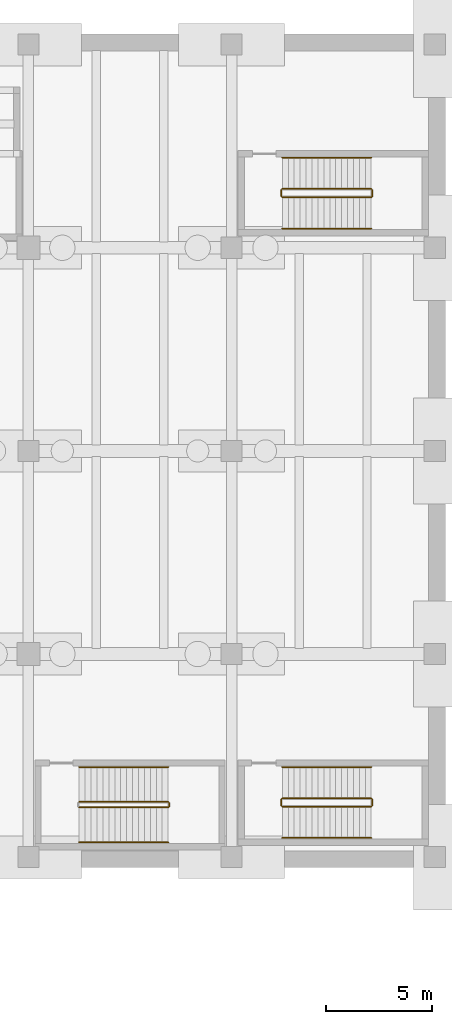
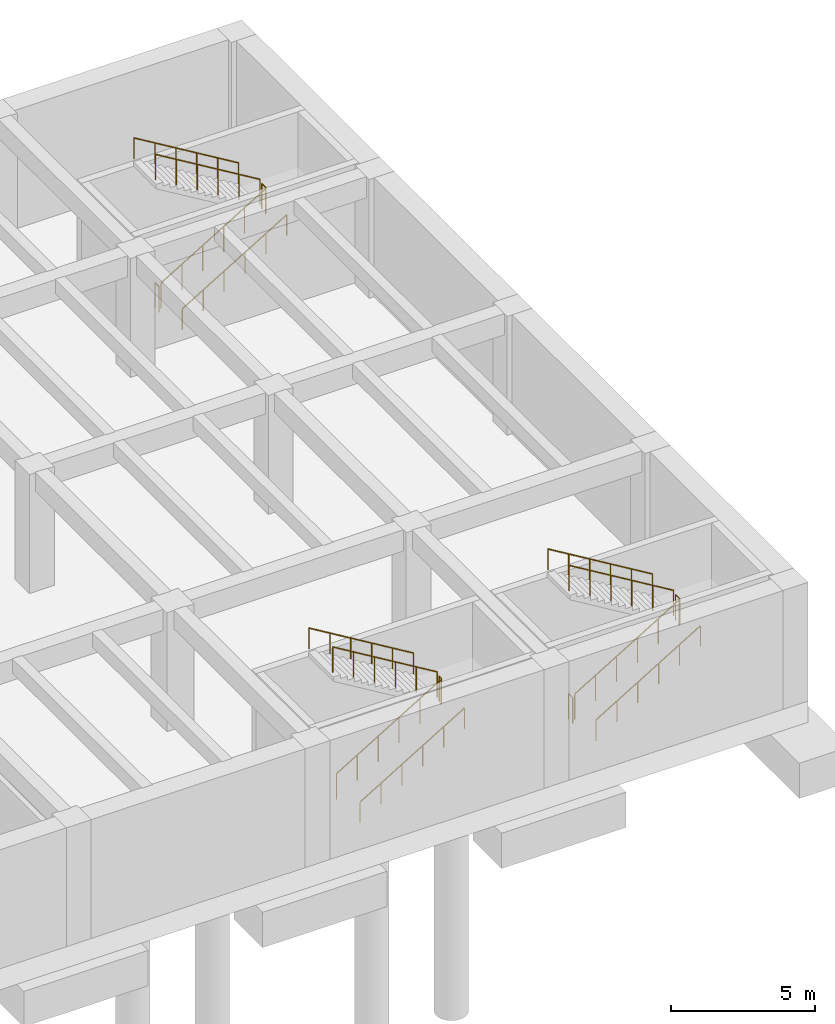
# One storey, part 23 of 24: 17 railings.
"""IFC4 building model written with IfcOpenShell, lengths in metres."""

from ifc_helpers import new_model, si_unit, direction, frame, origin, origin_2d, place, context, subcontext, project, spatial, circle, extrude, material, type_object, element, save


model = new_model("IFC4")

# Units and contexts
model_context = context("Model", 3, precision=1e-05, world=origin(), true_north=direction((0.0, 1.0)))
body_context = subcontext(model_context, "Body", "Model", "MODEL_VIEW")
ifc_project = project(units=[si_unit("LENGTHUNIT", "METRE"), si_unit("AREAUNIT", "SQUARE_METRE"), si_unit("VOLUMEUNIT", "CUBIC_METRE"), si_unit("PLANEANGLEUNIT", "RADIAN"), si_unit("MASSUNIT", "GRAM", prefix="KILO")], contexts=[model_context])

# Site, building, storey
site_placement = place(None, origin())
site = spatial("IfcSite", under=ifc_project, at=site_placement, CompositionType="ELEMENT")
building_placement = place(site_placement, origin())
building = spatial("IfcBuilding", under=site, at=building_placement, Name="Coralgate Yard Interchange", CompositionType="ELEMENT")
storey_placement = place(building_placement, frame((0.0, 0.0, -10.800048828125)))
storey = spatial("IfcBuildingStorey", under=building, at=storey_placement, Name="B2", CompositionType="ELEMENT", Elevation=-10.800048828125)

# Railings
ifc_material_1 = material(Name="Grade 316 marine stainless steel and toughened glass balustrade", Category="steel")
railing_type_1 = type_object("IfcRailingType", Name="RLG-GD1100", PredefinedType="BALUSTRADE", material=ifc_material_1)
railing_1_placement = place(storey_placement, frame((146.39990234375, 40.7900390625, 0.168701171875)))
element("IfcRailing", 1, at=railing_1_placement, inside=storey, type_object=railing_type_1, Name="B2 ST-10 stair guard 1", PredefinedType="BALUSTRADE", context=body_context, shape_type="SweptSolid", body=[
    extrude(circle(Radius=0.02392578125, at=origin_2d()), frame((0.0, 0.0, 1.076171875), z_axis=(0.856489757249, 0.0, 0.516164020179), x_axis=(0.0, 1.0, 0.0)), (0.0, 0.0, 1.0), 4.904052734375),
    extrude(circle(Radius=0.02099609375, at=origin_2d()), origin(), (0.0, 0.0, 1.0), 1.051513671875),
    extrude(circle(Radius=0.02099609375, at=origin_2d()), frame((0.840087890625, 0.0, 0.50634765625)), (0.0, 0.0, 1.0), 1.051513671875),
    extrude(circle(Radius=0.02099609375, at=origin_2d()), frame((1.68017578125, 0.0, 1.012451171875)), (0.0, 0.0, 1.0), 1.051513671875),
    extrude(circle(Radius=0.02099609375, at=origin_2d()), frame((2.52001953125, 0.0, 1.518798828125)), (0.0, 0.0, 1.0), 1.051513671875),
    extrude(circle(Radius=0.02099609375, at=origin_2d()), frame((3.360107421875, 0.0, 2.02490234375)), (0.0, 0.0, 1.0), 1.051513671875),
    extrude(circle(Radius=0.02099609375, at=origin_2d()), frame((4.2001953125, 0.0, 2.53125)), (0.0, 0.0, 1.0), 1.051513671875),
])
railing_2_placement = place(storey_placement, frame((150.64990234375, 40.840087890625, 2.699951171875)))
element("IfcRailing", 2, at=railing_2_placement, inside=storey, type_object=railing_type_1, Name="B2 ST-10 stair guard 2", PredefinedType="BALUSTRADE", context=body_context, shape_type="SweptSolid", body=[
    extrude(circle(Radius=0.02392578125, at=origin_2d()), frame((0.0, 0.0, 1.076171875), z_axis=(0.0, 1.0, 0.0), x_axis=(-1.0, 0.0, 0.0)), (0.0, 0.0, 1.0), 0.289794921875),
    extrude(circle(Radius=0.02099609375, at=origin_2d()), origin(), (0.0, 0.0, 1.0), 1.051513671875),
    extrude(circle(Radius=0.02099609375, at=origin_2d()), frame((0.0, 0.289794921875, 0.0)), (0.0, 0.0, 1.0), 1.051513671875),
])
railing_3_placement = place(storey_placement, frame((150.60009765625, 41.179931640625, 2.868896484375)))
element("IfcRailing", 3, at=railing_3_placement, inside=storey, type_object=railing_type_1, Name="B2 ST-10 stair guard 3", PredefinedType="BALUSTRADE", context=body_context, shape_type="SweptSolid", body=[
    extrude(circle(Radius=0.02392578125, at=origin_2d()), frame((0.0, 0.0, 1.076171875), z_axis=(-0.856489757249, 0.0, 0.516164020179), x_axis=(0.0, -1.0, 0.0)), (0.0, 0.0, 1.0), 4.904052734375),
    extrude(circle(Radius=0.02099609375, at=origin_2d()), origin(), (0.0, 0.0, 1.0), 1.051513671875),
    extrude(circle(Radius=0.02099609375, at=origin_2d()), frame((-0.840087890625, 0.0, 0.50634765625)), (0.0, 0.0, 1.0), 1.051513671875),
    extrude(circle(Radius=0.02099609375, at=origin_2d()), frame((-1.68017578125, 0.0, 1.012451171875)), (0.0, 0.0, 1.0), 1.051513671875),
    extrude(circle(Radius=0.02099609375, at=origin_2d()), frame((-2.52001953125, 0.0, 1.518798828125)), (0.0, 0.0, 1.0), 1.051513671875),
    extrude(circle(Radius=0.02099609375, at=origin_2d()), frame((-3.360107421875, 0.0, 2.02490234375)), (0.0, 0.0, 1.0), 1.051513671875),
    extrude(circle(Radius=0.02099609375, at=origin_2d()), frame((-4.2001953125, 0.0, 2.53125)), (0.0, 0.0, 1.0), 1.051513671875),
])
railing_4_placement = place(storey_placement, frame((146.35009765625, 40.840087890625, 0.0)))
element("IfcRailing", 4, at=railing_4_placement, inside=storey, type_object=railing_type_1, Name="B2 ST-10 stair guard 4", PredefinedType="BALUSTRADE", context=body_context, shape_type="SweptSolid", body=[
    extrude(circle(Radius=0.02392578125, at=origin_2d()), frame((0.0, 0.0, 1.076171875), z_axis=(0.0, 1.0, 0.0), x_axis=(-1.0, 0.0, 0.0)), (0.0, 0.0, 1.0), 0.289794921875),
    extrude(circle(Radius=0.02099609375, at=origin_2d()), origin(), (0.0, 0.0, 1.0), 1.051513671875),
    extrude(circle(Radius=0.02099609375, at=origin_2d()), frame((0.0, 0.289794921875, 0.0)), (0.0, 0.0, 1.0), 1.051513671875),
])
railing_5_placement = place(storey_placement, frame((146.39990234375, 69.590087890625, 0.168701171875)))
element("IfcRailing", 5, at=railing_5_placement, inside=storey, type_object=railing_type_1, Name="B2 ST-11 stair guard 1", PredefinedType="BALUSTRADE", context=body_context, shape_type="SweptSolid", body=[
    extrude(circle(Radius=0.02392578125, at=origin_2d()), frame((0.0, 0.0, 1.076171875), z_axis=(0.856489757249, 0.0, 0.516164020179), x_axis=(0.0, 1.0, 0.0)), (0.0, 0.0, 1.0), 4.904052734375),
    extrude(circle(Radius=0.02099609375, at=origin_2d()), origin(), (0.0, 0.0, 1.0), 1.051513671875),
    extrude(circle(Radius=0.02099609375, at=origin_2d()), frame((0.840087890625, 0.0, 0.50634765625)), (0.0, 0.0, 1.0), 1.051513671875),
    extrude(circle(Radius=0.02099609375, at=origin_2d()), frame((1.68017578125, 0.0, 1.012451171875)), (0.0, 0.0, 1.0), 1.051513671875),
    extrude(circle(Radius=0.02099609375, at=origin_2d()), frame((2.52001953125, 0.0, 1.518798828125)), (0.0, 0.0, 1.0), 1.051513671875),
    extrude(circle(Radius=0.02099609375, at=origin_2d()), frame((3.360107421875, 0.0, 2.02490234375)), (0.0, 0.0, 1.0), 1.051513671875),
    extrude(circle(Radius=0.02099609375, at=origin_2d()), frame((4.2001953125, 0.0, 2.53125)), (0.0, 0.0, 1.0), 1.051513671875),
])
railing_6_placement = place(storey_placement, frame((150.64990234375, 69.639892578125, 2.699951171875)))
element("IfcRailing", 6, at=railing_6_placement, inside=storey, type_object=railing_type_1, Name="B2 ST-11 stair guard 2", PredefinedType="BALUSTRADE", context=body_context, shape_type="SweptSolid", body=[
    extrude(circle(Radius=0.02392578125, at=origin_2d()), frame((0.0, 0.0, 1.076171875), z_axis=(0.0, 1.0, 0.0), x_axis=(-1.0, 0.0, 0.0)), (0.0, 0.0, 1.0), 0.2900390625),
    extrude(circle(Radius=0.02099609375, at=origin_2d()), origin(), (0.0, 0.0, 1.0), 1.051513671875),
    extrude(circle(Radius=0.02099609375, at=origin_2d()), frame((0.0, 0.2900390625, 0.0)), (0.0, 0.0, 1.0), 1.051513671875),
])
railing_7_placement = place(storey_placement, frame((150.60009765625, 69.97998046875, 2.868896484375)))
element("IfcRailing", 7, at=railing_7_placement, inside=storey, type_object=railing_type_1, Name="B2 ST-11 stair guard 3", PredefinedType="BALUSTRADE", context=body_context, shape_type="SweptSolid", body=[
    extrude(circle(Radius=0.02392578125, at=origin_2d()), frame((0.0, 0.0, 1.076171875), z_axis=(-0.856489757249, 0.0, 0.516164020179), x_axis=(0.0, -1.0, 0.0)), (0.0, 0.0, 1.0), 4.904052734375),
    extrude(circle(Radius=0.02099609375, at=origin_2d()), origin(), (0.0, 0.0, 1.0), 1.051513671875),
    extrude(circle(Radius=0.02099609375, at=origin_2d()), frame((-0.840087890625, 0.0, 0.50634765625)), (0.0, 0.0, 1.0), 1.051513671875),
    extrude(circle(Radius=0.02099609375, at=origin_2d()), frame((-1.68017578125, 0.0, 1.012451171875)), (0.0, 0.0, 1.0), 1.051513671875),
    extrude(circle(Radius=0.02099609375, at=origin_2d()), frame((-2.52001953125, 0.0, 1.518798828125)), (0.0, 0.0, 1.0), 1.051513671875),
    extrude(circle(Radius=0.02099609375, at=origin_2d()), frame((-3.360107421875, 0.0, 2.02490234375)), (0.0, 0.0, 1.0), 1.051513671875),
    extrude(circle(Radius=0.02099609375, at=origin_2d()), frame((-4.2001953125, 0.0, 2.53125)), (0.0, 0.0, 1.0), 1.051513671875),
])
railing_8_placement = place(storey_placement, frame((146.35009765625, 69.639892578125, 0.0)))
element("IfcRailing", 8, at=railing_8_placement, inside=storey, type_object=railing_type_1, Name="B2 ST-11 stair guard 4", PredefinedType="BALUSTRADE", context=body_context, shape_type="SweptSolid", body=[
    extrude(circle(Radius=0.02392578125, at=origin_2d()), frame((0.0, 0.0, 1.076171875), z_axis=(0.0, 1.0, 0.0), x_axis=(-1.0, 0.0, 0.0)), (0.0, 0.0, 1.0), 0.2900390625),
    extrude(circle(Radius=0.02099609375, at=origin_2d()), origin(), (0.0, 0.0, 1.0), 1.051513671875),
    extrude(circle(Radius=0.02099609375, at=origin_2d()), frame((0.0, 0.2900390625, 0.0)), (0.0, 0.0, 1.0), 1.051513671875),
])
railing_9_placement = place(storey_placement, frame((136.800048828125, 40.75, 0.168701171875)))
element("IfcRailing", 9, at=railing_9_placement, inside=storey, type_object=railing_type_1, Name="B2 ST-13 stair guard 1", PredefinedType="BALUSTRADE", context=body_context, shape_type="SweptSolid", body=[
    extrude(circle(Radius=0.02392578125, at=origin_2d()), frame((0.0, 0.0, 1.076171875), z_axis=(0.856476492594, 0.0, 0.516186030065), x_axis=(0.0, 1.0, 0.0)), (0.0, 0.0, 1.0), 4.90380859375),
    extrude(circle(Radius=0.02099609375, at=origin_2d()), origin(), (0.0, 0.0, 1.0), 1.051513671875),
    extrude(circle(Radius=0.02099609375, at=origin_2d()), frame((0.840087890625, 0.0, 0.50634765625)), (0.0, 0.0, 1.0), 1.051513671875),
    extrude(circle(Radius=0.02099609375, at=origin_2d()), frame((1.679931640625, 0.0, 1.012451171875)), (0.0, 0.0, 1.0), 1.051513671875),
    extrude(circle(Radius=0.02099609375, at=origin_2d()), frame((2.52001953125, 0.0, 1.518798828125)), (0.0, 0.0, 1.0), 1.051513671875),
    extrude(circle(Radius=0.02099609375, at=origin_2d()), frame((3.35986328125, 0.0, 2.02490234375)), (0.0, 0.0, 1.0), 1.051513671875),
    extrude(circle(Radius=0.02099609375, at=origin_2d()), frame((4.199951171875, 0.0, 2.53125)), (0.0, 0.0, 1.0), 1.051513671875),
])
railing_10_placement = place(storey_placement, frame((141.050048828125, 40.800048828125, 2.699951171875)))
element("IfcRailing", 10, at=railing_10_placement, inside=storey, type_object=railing_type_1, Name="B2 ST-13 stair guard 2", PredefinedType="BALUSTRADE", context=body_context, shape_type="SweptSolid", body=[
    extrude(circle(Radius=0.02392578125, at=origin_2d()), frame((0.0, 0.0, 1.076171875), z_axis=(0.0, 1.0, 0.0), x_axis=(-1.0, 0.0, 0.0)), (0.0, 0.0, 1.0), 0.159912109375),
    extrude(circle(Radius=0.02099609375, at=origin_2d()), origin(), (0.0, 0.0, 1.0), 1.051513671875),
    extrude(circle(Radius=0.02099609375, at=origin_2d()), frame((0.0, 0.159912109375, 0.0)), (0.0, 0.0, 1.0), 1.051513671875),
])
railing_11_placement = place(storey_placement, frame((141.0, 41.010009765625, 2.868896484375)))
element("IfcRailing", 11, at=railing_11_placement, inside=storey, type_object=railing_type_1, Name="B2 ST-13 stair guard 3", PredefinedType="BALUSTRADE", context=body_context, shape_type="SweptSolid", body=[
    extrude(circle(Radius=0.02392578125, at=origin_2d()), frame((0.0, 0.0, 1.076171875), z_axis=(-0.856476492594, 0.0, 0.516186030065), x_axis=(0.0, -1.0, 0.0)), (0.0, 0.0, 1.0), 4.90380859375),
    extrude(circle(Radius=0.02099609375, at=origin_2d()), origin(), (0.0, 0.0, 1.0), 1.051513671875),
    extrude(circle(Radius=0.02099609375, at=origin_2d()), frame((-0.840087890625, 0.0, 0.50634765625)), (0.0, 0.0, 1.0), 1.051513671875),
    extrude(circle(Radius=0.02099609375, at=origin_2d()), frame((-1.679931640625, 0.0, 1.012451171875)), (0.0, 0.0, 1.0), 1.051513671875),
    extrude(circle(Radius=0.02099609375, at=origin_2d()), frame((-2.52001953125, 0.0, 1.518798828125)), (0.0, 0.0, 1.0), 1.051513671875),
    extrude(circle(Radius=0.02099609375, at=origin_2d()), frame((-3.35986328125, 0.0, 2.02490234375)), (0.0, 0.0, 1.0), 1.051513671875),
    extrude(circle(Radius=0.02099609375, at=origin_2d()), frame((-4.199951171875, 0.0, 2.53125)), (0.0, 0.0, 1.0), 1.051513671875),
])
ifc_material_2 = material(Name="Grade 316 marine stainless steel", Category="steel")
railing_type_2 = type_object("IfcRailingType", Name="RLG-HR900", PredefinedType="HANDRAIL", material=ifc_material_2)
railing_12_placement = place(storey_placement, frame((146.39990234375, 39.31005859375, 0.168701171875)))
element("IfcRailing", 12, at=railing_12_placement, inside=storey, type_object=railing_type_2, Name="B2 ST-10 stair handrail 1", PredefinedType="HANDRAIL", context=body_context, shape_type="SweptSolid", body=[
    extrude(circle(Radius=0.02392578125, at=origin_2d()), frame((0.0, 0.0, 0.8759765625), z_axis=(0.856489757249, 0.0, 0.516164020179), x_axis=(0.0, 1.0, 0.0)), (0.0, 0.0, 1.0), 4.904052734375),
    extrude(circle(Radius=0.02099609375, at=origin_2d()), origin(), (0.0, 0.0, 1.0), 0.851318359375),
    extrude(circle(Radius=0.02099609375, at=origin_2d()), frame((0.840087890625, 0.0, 0.50634765625)), (0.0, 0.0, 1.0), 0.851318359375),
    extrude(circle(Radius=0.02099609375, at=origin_2d()), frame((1.68017578125, 0.0, 1.012451171875)), (0.0, 0.0, 1.0), 0.851318359375),
    extrude(circle(Radius=0.02099609375, at=origin_2d()), frame((2.52001953125, 0.0, 1.518798828125)), (0.0, 0.0, 1.0), 0.851318359375),
    extrude(circle(Radius=0.02099609375, at=origin_2d()), frame((3.360107421875, 0.0, 2.02490234375)), (0.0, 0.0, 1.0), 0.851318359375),
    extrude(circle(Radius=0.02099609375, at=origin_2d()), frame((4.2001953125, 0.0, 2.53125)), (0.0, 0.0, 1.0), 0.851318359375),
])
railing_13_placement = place(storey_placement, frame((150.60009765625, 42.659912109375, 2.868896484375)))
element("IfcRailing", 13, at=railing_13_placement, inside=storey, type_object=railing_type_2, Name="B2 ST-10 stair handrail 2", PredefinedType="HANDRAIL", context=body_context, shape_type="SweptSolid", body=[
    extrude(circle(Radius=0.02392578125, at=origin_2d()), frame((0.0, 0.0, 0.8759765625), z_axis=(-0.856489757249, 0.0, 0.516164020179), x_axis=(0.0, -1.0, 0.0)), (0.0, 0.0, 1.0), 4.904052734375),
    extrude(circle(Radius=0.02099609375, at=origin_2d()), origin(), (0.0, 0.0, 1.0), 0.851318359375),
    extrude(circle(Radius=0.02099609375, at=origin_2d()), frame((-0.840087890625, 0.0, 0.50634765625)), (0.0, 0.0, 1.0), 0.851318359375),
    extrude(circle(Radius=0.02099609375, at=origin_2d()), frame((-1.68017578125, 0.0, 1.012451171875)), (0.0, 0.0, 1.0), 0.851318359375),
    extrude(circle(Radius=0.02099609375, at=origin_2d()), frame((-2.52001953125, 0.0, 1.518798828125)), (0.0, 0.0, 1.0), 0.851318359375),
    extrude(circle(Radius=0.02099609375, at=origin_2d()), frame((-3.360107421875, 0.0, 2.02490234375)), (0.0, 0.0, 1.0), 0.851318359375),
    extrude(circle(Radius=0.02099609375, at=origin_2d()), frame((-4.2001953125, 0.0, 2.53125)), (0.0, 0.0, 1.0), 0.851318359375),
])
railing_14_placement = place(storey_placement, frame((146.39990234375, 68.110107421875, 0.168701171875)))
element("IfcRailing", 14, at=railing_14_placement, inside=storey, type_object=railing_type_2, Name="B2 ST-11 stair handrail 1", PredefinedType="HANDRAIL", context=body_context, shape_type="SweptSolid", body=[
    extrude(circle(Radius=0.02392578125, at=origin_2d()), frame((0.0, 0.0, 0.8759765625), z_axis=(0.856489757249, 0.0, 0.516164020179), x_axis=(0.0, 1.0, 0.0)), (0.0, 0.0, 1.0), 4.904052734375),
    extrude(circle(Radius=0.02099609375, at=origin_2d()), origin(), (0.0, 0.0, 1.0), 0.851318359375),
    extrude(circle(Radius=0.02099609375, at=origin_2d()), frame((0.840087890625, 0.0, 0.50634765625)), (0.0, 0.0, 1.0), 0.851318359375),
    extrude(circle(Radius=0.02099609375, at=origin_2d()), frame((1.68017578125, 0.0, 1.012451171875)), (0.0, 0.0, 1.0), 0.851318359375),
    extrude(circle(Radius=0.02099609375, at=origin_2d()), frame((2.52001953125, 0.0, 1.518798828125)), (0.0, 0.0, 1.0), 0.851318359375),
    extrude(circle(Radius=0.02099609375, at=origin_2d()), frame((3.360107421875, 0.0, 2.02490234375)), (0.0, 0.0, 1.0), 0.851318359375),
    extrude(circle(Radius=0.02099609375, at=origin_2d()), frame((4.2001953125, 0.0, 2.53125)), (0.0, 0.0, 1.0), 0.851318359375),
])
railing_15_placement = place(storey_placement, frame((150.60009765625, 71.4599609375, 2.868896484375)))
element("IfcRailing", 15, at=railing_15_placement, inside=storey, type_object=railing_type_2, Name="B2 ST-11 stair handrail 2", PredefinedType="HANDRAIL", context=body_context, shape_type="SweptSolid", body=[
    extrude(circle(Radius=0.02392578125, at=origin_2d()), frame((0.0, 0.0, 0.8759765625), z_axis=(-0.856489757249, 0.0, 0.516164020179), x_axis=(0.0, -1.0, 0.0)), (0.0, 0.0, 1.0), 4.904052734375),
    extrude(circle(Radius=0.02099609375, at=origin_2d()), origin(), (0.0, 0.0, 1.0), 0.851318359375),
    extrude(circle(Radius=0.02099609375, at=origin_2d()), frame((-0.840087890625, 0.0, 0.50634765625)), (0.0, 0.0, 1.0), 0.851318359375),
    extrude(circle(Radius=0.02099609375, at=origin_2d()), frame((-1.68017578125, 0.0, 1.012451171875)), (0.0, 0.0, 1.0), 0.851318359375),
    extrude(circle(Radius=0.02099609375, at=origin_2d()), frame((-2.52001953125, 0.0, 1.518798828125)), (0.0, 0.0, 1.0), 0.851318359375),
    extrude(circle(Radius=0.02099609375, at=origin_2d()), frame((-3.360107421875, 0.0, 2.02490234375)), (0.0, 0.0, 1.0), 0.851318359375),
    extrude(circle(Radius=0.02099609375, at=origin_2d()), frame((-4.2001953125, 0.0, 2.53125)), (0.0, 0.0, 1.0), 0.851318359375),
])
railing_16_placement = place(storey_placement, frame((136.800048828125, 39.10009765625, 0.168701171875)))
element("IfcRailing", 16, at=railing_16_placement, inside=storey, type_object=railing_type_2, Name="B2 ST-13 stair handrail 1", PredefinedType="HANDRAIL", context=body_context, shape_type="SweptSolid", body=[
    extrude(circle(Radius=0.02392578125, at=origin_2d()), frame((0.0, 0.0, 0.8759765625), z_axis=(0.856476492594, 0.0, 0.516186030065), x_axis=(0.0, 1.0, 0.0)), (0.0, 0.0, 1.0), 4.90380859375),
    extrude(circle(Radius=0.02099609375, at=origin_2d()), origin(), (0.0, 0.0, 1.0), 0.851318359375),
    extrude(circle(Radius=0.02099609375, at=origin_2d()), frame((0.840087890625, 0.0, 0.50634765625)), (0.0, 0.0, 1.0), 0.851318359375),
    extrude(circle(Radius=0.02099609375, at=origin_2d()), frame((1.679931640625, 0.0, 1.012451171875)), (0.0, 0.0, 1.0), 0.851318359375),
    extrude(circle(Radius=0.02099609375, at=origin_2d()), frame((2.52001953125, 0.0, 1.518798828125)), (0.0, 0.0, 1.0), 0.851318359375),
    extrude(circle(Radius=0.02099609375, at=origin_2d()), frame((3.35986328125, 0.0, 2.02490234375)), (0.0, 0.0, 1.0), 0.851318359375),
    extrude(circle(Radius=0.02099609375, at=origin_2d()), frame((4.199951171875, 0.0, 2.53125)), (0.0, 0.0, 1.0), 0.851318359375),
])
railing_17_placement = place(storey_placement, frame((141.0, 42.659912109375, 2.868896484375)))
element("IfcRailing", 17, at=railing_17_placement, inside=storey, type_object=railing_type_2, Name="B2 ST-13 stair handrail 2", PredefinedType="HANDRAIL", context=body_context, shape_type="SweptSolid", body=[
    extrude(circle(Radius=0.02392578125, at=origin_2d()), frame((0.0, 0.0, 0.8759765625), z_axis=(-0.856476492594, 0.0, 0.516186030065), x_axis=(0.0, -1.0, 0.0)), (0.0, 0.0, 1.0), 4.90380859375),
    extrude(circle(Radius=0.02099609375, at=origin_2d()), origin(), (0.0, 0.0, 1.0), 0.851318359375),
    extrude(circle(Radius=0.02099609375, at=origin_2d()), frame((-0.840087890625, 0.0, 0.50634765625)), (0.0, 0.0, 1.0), 0.851318359375),
    extrude(circle(Radius=0.02099609375, at=origin_2d()), frame((-1.679931640625, 0.0, 1.012451171875)), (0.0, 0.0, 1.0), 0.851318359375),
    extrude(circle(Radius=0.02099609375, at=origin_2d()), frame((-2.52001953125, 0.0, 1.518798828125)), (0.0, 0.0, 1.0), 0.851318359375),
    extrude(circle(Radius=0.02099609375, at=origin_2d()), frame((-3.35986328125, 0.0, 2.02490234375)), (0.0, 0.0, 1.0), 0.851318359375),
    extrude(circle(Radius=0.02099609375, at=origin_2d()), frame((-4.199951171875, 0.0, 2.53125)), (0.0, 0.0, 1.0), 0.851318359375),
])

save(model, "model.ifc")
